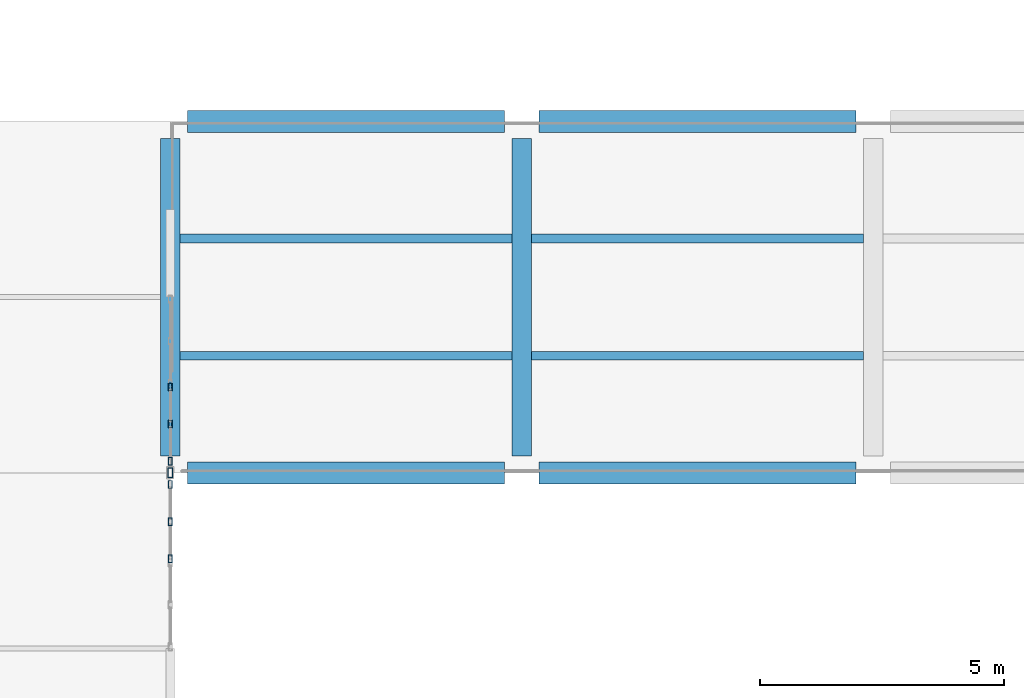
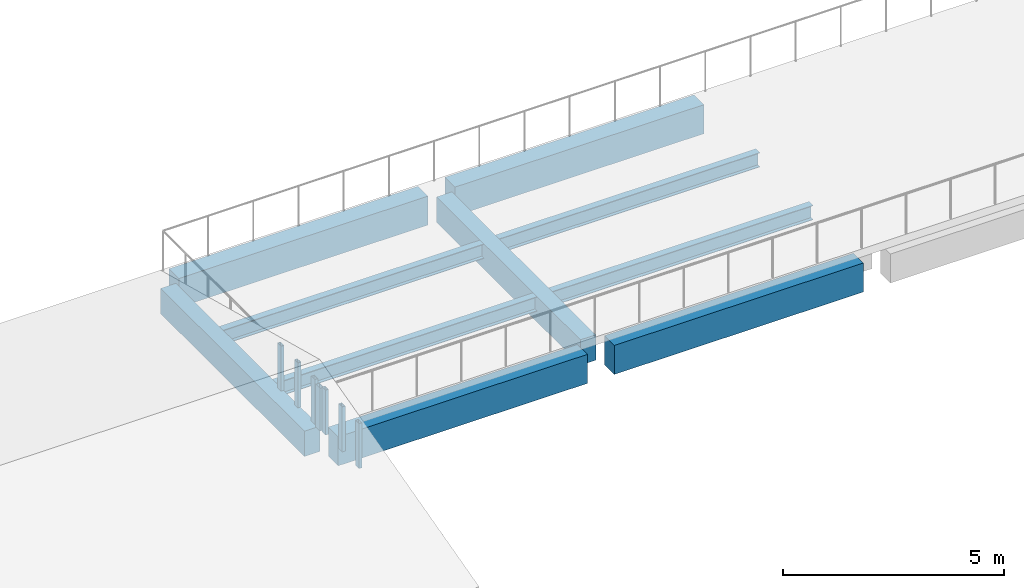
# One storey, part 20 of 105: 10 beams, 7 members, 2 elements without a shape of their own.
"""IFC4 building model written with IfcOpenShell, lengths in metres."""

from ifc_helpers import new_model, si_unit, direction, frame, origin, origin_2d, place, context, subcontext, project, spatial, rectangle, hollow_rectangle, i_section, extrude, material, layer, layer_set, material_profile, profile_set, type_object, element, aggregate, save


model = new_model("IFC4")

# Units and contexts
model_context = context("Model", 3, precision=1e-05, world=origin(), true_north=direction((0.0, 1.0)))
body_context = subcontext(model_context, "Body", "Model", "MODEL_VIEW")
ifc_project = project(units=[si_unit("LENGTHUNIT", "METRE"), si_unit("AREAUNIT", "SQUARE_METRE"), si_unit("VOLUMEUNIT", "CUBIC_METRE"), si_unit("PLANEANGLEUNIT", "RADIAN"), si_unit("MASSUNIT", "GRAM", prefix="KILO"), si_unit("THERMODYNAMICTEMPERATUREUNIT", "KELVIN"), si_unit("POWERUNIT", "WATT")], contexts=[model_context])

# Site, building, storey
site_placement = place(None, origin())
site = spatial("IfcSite", under=ifc_project, at=site_placement, CompositionType="ELEMENT")
building_placement = place(site_placement, origin())
building = spatial("IfcBuilding", under=site, at=building_placement, Name="Kaldorven Railside Theatre", CompositionType="ELEMENT")
storey_placement = place(building_placement, frame((0.0, 0.0, 9.89990234375)))
storey = spatial("IfcBuildingStorey", under=building, at=storey_placement, Name="L02", CompositionType="ELEMENT", Elevation=9.89990234375)

# Beams
ifc_material_1 = material(Name="Steel S355", Category="steel")
ifc_material_profile_1 = material_profile(ifc_material_1, i_section(OverallWidth=0.179931640625, OverallDepth=0.39990234375, WebThickness=0.008544921875, FlangeThickness=0.013427734375, at=origin_2d()), Name="IPE 400")
ifc_profile_set_1 = profile_set([ifc_material_profile_1], Name="Steel S355")
beam_type_1 = type_object("IfcBeamType", Name="BM-IPE400", PredefinedType="JOIST", material=ifc_profile_set_1)
for number, where, z_axis, x_axis, name in (
    (1, (44.199951171875, 72.0, -0.419921875), (1.0, 0.0, 0.0), (0.0, 1.0, 0.0), "L02 Secondary Floor Joist JG-L02-044-0720"),
    (2, (44.199951171875, 74.39990234375, -0.419921875), (1.0, 0.0, 0.0), (0.0, 1.0, 0.0), "L02 Secondary Floor Joist JG-L02-044-0744"),
    (3, (51.39990234375, 72.0, -0.419921875), (1.0, 0.0, 0.0), (0.0, 1.0, 0.0), "L02 Secondary Floor Joist JG-L02-051-0720"),
    (4, (51.39990234375, 74.39990234375, -0.419921875), (1.0, 0.0, 0.0), (0.0, 1.0, 0.0), "L02 Secondary Floor Joist JG-L02-051-0744"),
):
    element("IfcBeam", number, at=place(storey_placement, frame(where, z_axis=z_axis, x_axis=x_axis)), inside=storey, type_object=beam_type_1, Name=name, PredefinedType="JOIST", context=body_context, shape_type="SweptSolid", body=[
        extrude(i_section(OverallWidth=0.179931640625, OverallDepth=0.39990234375, WebThickness=0.008544921875, FlangeThickness=0.013427734375, at=origin_2d()), origin(), (0.0, 0.0, 1.0), 6.800048828125),
    ])
ifc_material_2 = material(Name="Concrete C40/50", Category="concrete")
ifc_material_profile_2 = material_profile(ifc_material_2, rectangle(XDim=0.39990234375, YDim=0.699951171875, at=origin_2d()), Name="RC 400x700")
ifc_profile_set_2 = profile_set([ifc_material_profile_2], Name="Concrete C40/50")
beam_type_2 = type_object("IfcBeamType", Name="BM-RC400x700", PredefinedType="BEAM", material=ifc_profile_set_2)
for number, where, z_axis, x_axis, name in (
    (5, (44.0, 69.949951171875, -0.56982421875), (0.0, 1.0, 0.0), (-1.0, 0.0, 0.0), "L02 Girder BGY-L02-044-069-72"),
    (6, (51.199951171875, 69.949951171875, -0.56982421875), (0.0, 1.0, 0.0), (-1.0, 0.0, 0.0), "L02 Girder BGY-L02-051-069-72"),
):
    element("IfcBeam", number, at=place(storey_placement, frame(where, z_axis=z_axis, x_axis=x_axis)), inside=storey, type_object=beam_type_2, Name=name, PredefinedType="BEAM", context=body_context, shape_type="SweptSolid", body=[
        extrude(rectangle(XDim=0.39990234375, YDim=0.699951171875, at=origin_2d()), origin(), (0.0, 0.0, 1.0), 6.5),
    ])
ifc_material_profile_3 = material_profile(ifc_material_2, rectangle(XDim=0.449951171875, YDim=0.800048828125, at=origin_2d()), Name="RC 450x800")
ifc_profile_set_3 = profile_set([ifc_material_profile_3], Name="Concrete C40/50")
beam_type_3 = type_object("IfcBeamType", Name="BM-RC450x800", PredefinedType="BEAM", material=ifc_profile_set_3)
for number, where, z_axis, x_axis, name in (
    (7, (44.35009765625, 69.60009765625, -0.619873046875), (1.0, 0.0, 0.0), (0.0, 1.0, 0.0), "L02 Girder BGX-L02-044-069"),
    (8, (51.550048828125, 69.60009765625, -0.619873046875), (1.0, 0.0, 0.0), (0.0, 1.0, 0.0), "L02 Girder BGX-L02-051-069"),
    (9, (44.35009765625, 76.800048828125, -0.619873046875), (1.0, 0.0, 0.0), (0.0, 1.0, 0.0), "L02 Girder BGX-L02-044-076"),
    (10, (51.550048828125, 76.800048828125, -0.619873046875), (1.0, 0.0, 0.0), (0.0, 1.0, 0.0), "L02 Girder BGX-L02-051-076"),
):
    element("IfcBeam", number, at=place(storey_placement, frame(where, z_axis=z_axis, x_axis=x_axis)), inside=storey, type_object=beam_type_3, Name=name, PredefinedType="BEAM", context=body_context, shape_type="SweptSolid", body=[
        extrude(rectangle(XDim=0.449951171875, YDim=0.800048828125, at=origin_2d()), origin(), (0.0, 0.0, 1.0), 6.5),
    ])

# Curtain wall, members
ifc_material_3 = material(Name="Low-E laminated solar-control glass", Category="glass")
ifc_layer = layer(ifc_material_3, 0.159912109375, Name="Low-E laminated solar-control glass")
ifc_layer_set = layer_set([ifc_layer], Name="Low-E laminated solar-control glass")
curtain_wall_type = type_object("IfcCurtainWallType", Name="CWT-68", PredefinedType="USERDEFINED", material=ifc_layer_set)
curtain_wall_1_placement = place(storey_placement, origin())
curtain_wall_1 = element("IfcCurtainWall", 11, at=curtain_wall_1_placement, inside=storey, type_object=curtain_wall_type, Name="Black-Box East Gable Clerestory CWG-147", ObjectType="FLUTED GLAZING", PredefinedType="USERDEFINED")
ifc_material_4 = material(Name="Anodised bronze aluminium", Category="aluminium")
ifc_material_profile_4 = material_profile(ifc_material_4, hollow_rectangle(XDim=0.080078125, YDim=0.159912109375, WallThickness=0.00634765625, at=origin_2d()), Name="RHS 160x80x6.3")
ifc_profile_set_4 = profile_set([ifc_material_profile_4], Name="Anodised bronze aluminium")
member_type_1 = type_object("IfcMemberType", Name="CWM-160", PredefinedType="MULLION", material=ifc_profile_set_4)
member_1_placement = place(storey_placement, frame((44.0, 67.840087890625, 0.02001953125), z_axis=(0.0, 0.0, 1.0), x_axis=(-1.0, 0.0, 0.0)))
member_1 = element("IfcMember", 12, at=member_1_placement, type_object=member_type_1, Name="CWG-147 mullion 1", PredefinedType="MULLION", context=body_context, shape_type="SweptSolid", body=[
    extrude(hollow_rectangle(XDim=0.080078125, YDim=0.159912109375, WallThickness=0.00634765625, at=origin_2d()), origin(), (0.0, 0.0, 1.0), 1.239990234375),
])
member_2_placement = place(storey_placement, frame((44.0, 68.60009765625, 0.02001953125), z_axis=(0.0, 0.0, 1.0), x_axis=(-1.0, 0.0, 0.0)))
member_2 = element("IfcMember", 13, at=member_2_placement, type_object=member_type_1, Name="CWG-147 mullion 2", PredefinedType="MULLION", context=body_context, shape_type="SweptSolid", body=[
    extrude(hollow_rectangle(XDim=0.080078125, YDim=0.159912109375, WallThickness=0.00634765625, at=origin_2d()), origin(), (0.0, 0.0, 1.0), 1.239990234375),
])
member_3_placement = place(storey_placement, frame((44.0, 69.360107421875, 0.02001953125), z_axis=(0.0, 0.0, 1.0), x_axis=(-1.0, 0.0, 0.0)))
member_3 = element("IfcMember", 14, at=member_3_placement, type_object=member_type_1, Name="CWG-147 mullion 3", PredefinedType="MULLION", context=body_context, shape_type="SweptSolid", body=[
    extrude(hollow_rectangle(XDim=0.080078125, YDim=0.159912109375, WallThickness=0.00634765625, at=origin_2d()), origin(), (0.0, 0.0, 1.0), 1.239990234375),
])
aggregate(curtain_wall_1, [member_1, member_2, member_3])

curtain_wall_2_placement = place(storey_placement, origin())
curtain_wall_2 = element("IfcCurtainWall", 15, at=curtain_wall_2_placement, inside=storey, type_object=curtain_wall_type, Name="Black-Box East Gable Clerestory CWG-148", ObjectType="FLUTED GLAZING", PredefinedType="USERDEFINED")
member_4_placement = place(storey_placement, frame((44.0, 69.840087890625, 0.02001953125), z_axis=(0.0, 0.0, 1.0), x_axis=(-1.0, 0.0, 0.0)))
member_4 = element("IfcMember", 16, at=member_4_placement, type_object=member_type_1, Name="CWG-148 mullion 1", PredefinedType="MULLION", context=body_context, shape_type="SweptSolid", body=[
    extrude(hollow_rectangle(XDim=0.080078125, YDim=0.159912109375, WallThickness=0.00634765625, at=origin_2d()), origin(), (0.0, 0.0, 1.0), 1.239990234375),
])
member_5_placement = place(storey_placement, frame((44.0, 70.60009765625, 0.02001953125), z_axis=(0.0, 0.0, 1.0), x_axis=(-1.0, 0.0, 0.0)))
member_5 = element("IfcMember", 17, at=member_5_placement, type_object=member_type_1, Name="CWG-148 mullion 2", PredefinedType="MULLION", context=body_context, shape_type="SweptSolid", body=[
    extrude(hollow_rectangle(XDim=0.080078125, YDim=0.159912109375, WallThickness=0.00634765625, at=origin_2d()), origin(), (0.0, 0.0, 1.0), 1.239990234375),
])
member_6_placement = place(storey_placement, frame((44.0, 71.360107421875, 0.02001953125), z_axis=(0.0, 0.0, 1.0), x_axis=(-1.0, 0.0, 0.0)))
member_6 = element("IfcMember", 18, at=member_6_placement, type_object=member_type_1, Name="CWG-148 mullion 3", PredefinedType="MULLION", context=body_context, shape_type="SweptSolid", body=[
    extrude(hollow_rectangle(XDim=0.080078125, YDim=0.159912109375, WallThickness=0.00634765625, at=origin_2d()), origin(), (0.0, 0.0, 1.0), 1.239990234375),
])
aggregate(curtain_wall_2, [member_4, member_5, member_6])

# Member
ifc_material_profile_5 = material_profile(ifc_material_1, hollow_rectangle(XDim=0.10009765625, YDim=0.199951171875, WallThickness=0.008056640625, at=origin_2d()), Name="RHS 200x100x8")
ifc_profile_set_5 = profile_set([ifc_material_profile_5], Name="Steel S355")
member_type_2 = type_object("IfcMemberType", Name="MEM-RHS200", PredefinedType="STRUT", material=ifc_profile_set_5)
member_7_placement = place(storey_placement, frame((44.0, 69.60009765625, 0.0), z_axis=(0.0, 0.0, 1.0), x_axis=(1.0, 0.0, 0.0)))
element("IfcMember", 19, at=member_7_placement, inside=storey, type_object=member_type_2, Name="Black-Box Dual-Pitch Roof Gable Ridge Post", PredefinedType="STRUT", context=body_context, shape_type="SweptSolid", body=[
    extrude(hollow_rectangle(XDim=0.10009765625, YDim=0.199951171875, WallThickness=0.008056640625, at=origin_2d()), origin(), (0.0, 0.0, 1.0), 1.176513671875),
])

save(model, "model.ifc")
